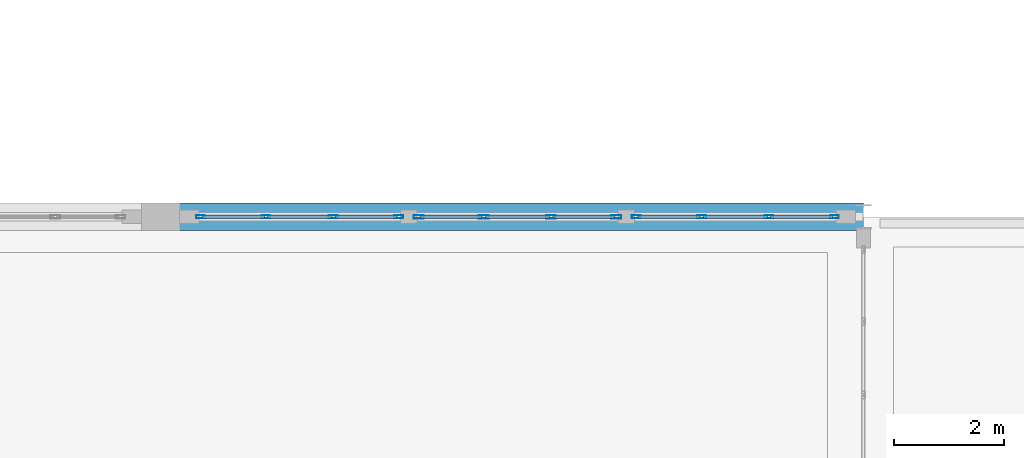
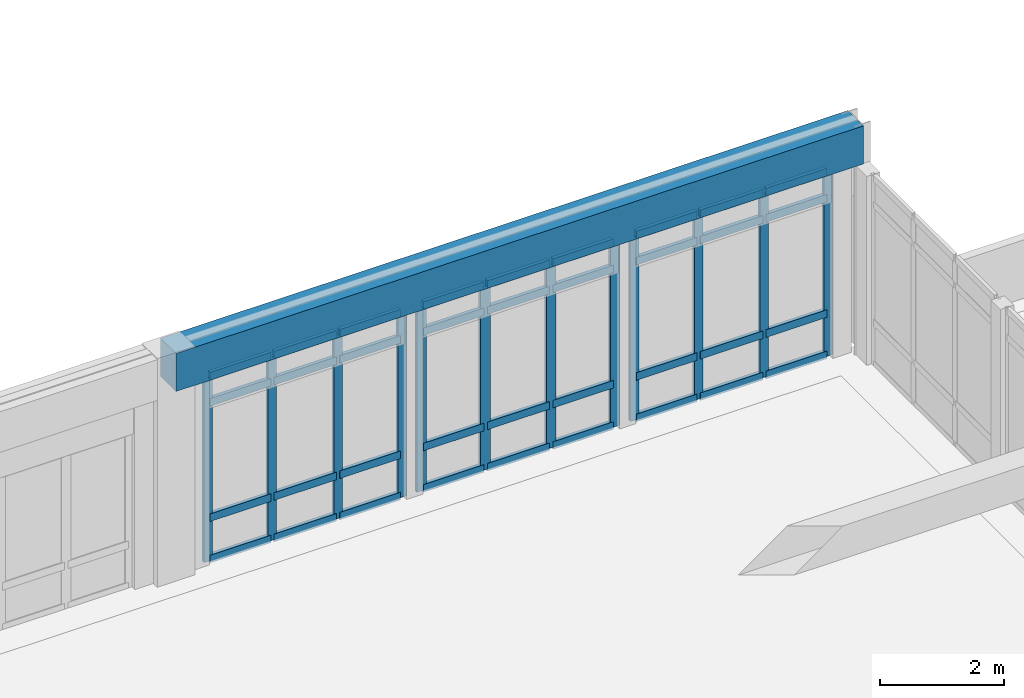
# One storey, part 48 of 80: 48 members, 1 beam, 3 elements without a shape of their own.
"""IFC4 building model written with IfcOpenShell, lengths in metres."""

import ifcopenshell
import ifcopenshell.guid

model = None  # the IFC model being written
_history = None  # IfcOwnerHistory: only IFC2X3 demands one
_inside = {}  # id of a spatial element -> (the spatial element, [elements in it])
_under = {}  # id of a project, library or spatial element -> (it, [spatial elements below it])
_declared = {}  # id of a project -> (the project, [libraries it declares])
_typed = {}  # id of a type object -> (the type object, [elements of that type])
_made_of = {}  # id of a material, layer set ... -> (it, [elements and type objects made of it])


def new_model(schema):
    """Start an empty IFC model of exactly this schema.

    Asked for "IFC4X3", IfcOpenShell would pick the latest addendum, in which some entities
    have other attributes; the version numbers below select the first issue.
    IFC2X3 requires an IfcOwnerHistory on every rooted entity: one is made here for all.
    """
    global model, _history
    if schema == "IFC4X3":
        model = ifcopenshell.file(schema_version=(4, 3, 0, 0))
    else:
        model = ifcopenshell.file(schema=schema)
    _inside.clear()
    _under.clear()
    _declared.clear()
    _typed.clear()
    _made_of.clear()
    _history = None
    if model.schema == "IFC2X3":
        org = make("IfcOrganization", Name="unknown")
        user = make(
            "IfcPersonAndOrganization",
            ThePerson=make("IfcPerson", FamilyName="unknown"),
            TheOrganization=org,
        )
        app = make(
            "IfcApplication",
            ApplicationDeveloper=org,
            Version="unknown",
            ApplicationFullName="unknown",
            ApplicationIdentifier="unknown",
        )
        _history = make(
            "IfcOwnerHistory",
            OwningUser=user,
            OwningApplication=app,
            ChangeAction="ADDED",
            CreationDate=0,
        )
    return model


def make(cls, **values):
    """One entity of the class cls with the attributes given. An attribute that is None is left unset."""
    return model.create_entity(
        cls, **{name: value for name, value in values.items() if value is not None}
    )


def rooted(cls, **values):
    """An entity with a GlobalId (a new one), such as an element, a storey or a relation."""
    return make(cls, GlobalId=ifcopenshell.guid.new(), OwnerHistory=_history, **values)


def si_unit(unit_type, name, prefix=None):
    """IfcSIUnit, for example si_unit("LENGTHUNIT", "METRE", prefix="MILLI")."""
    return make("IfcSIUnit", UnitType=unit_type, Prefix=prefix, Name=name)


def assignment(units):
    """IfcUnitAssignment: the units of a project."""
    return None if units is None else make("IfcUnitAssignment", Units=units)


def point(xyz):
    """IfcCartesianPoint."""
    return None if xyz is None else make("IfcCartesianPoint", Coordinates=xyz)


def direction(xyz):
    """IfcDirection."""
    return None if xyz is None else make("IfcDirection", DirectionRatios=xyz)


def frame(location, z_axis=None, x_axis=None):
    """IfcAxis2Placement3D, a coordinate frame: its origin and axes. An axis left out is left unset."""
    return make(
        "IfcAxis2Placement3D",
        Location=point(location),
        Axis=direction(z_axis),
        RefDirection=direction(x_axis),
    )


def frame_2d(location, x_axis=None):
    """IfcAxis2Placement2D, a coordinate frame in the plane: its origin and x axis."""
    return make(
        "IfcAxis2Placement2D", Location=point(location), RefDirection=direction(x_axis)
    )


def origin():
    """The frame at (0, 0, 0) with its axes left unset."""
    return frame((0.0, 0.0, 0.0))


def origin_2d():
    """The frame at (0, 0) in the plane with its x axis left unset."""
    return frame_2d((0.0, 0.0))


def place(relative_to, where):
    """IfcLocalPlacement: puts the frame where relative to a parent placement (None: the world)."""
    return make(
        "IfcLocalPlacement", PlacementRelTo=relative_to, RelativePlacement=where
    )


def context(
    kind, dimensions, precision=None, world=None, true_north=None, identifier=None
):
    """IfcGeometricRepresentationContext, for example the 3D "Model" context."""
    return make(
        "IfcGeometricRepresentationContext",
        ContextIdentifier=identifier,
        ContextType=kind,
        CoordinateSpaceDimension=dimensions,
        Precision=precision,
        WorldCoordinateSystem=world,
        TrueNorth=true_north,
    )


def subcontext(parent, identifier, kind, view, scale=None):
    """IfcGeometricRepresentationSubContext, for example "Body" below "Model"."""
    return make(
        "IfcGeometricRepresentationSubContext",
        ContextIdentifier=identifier,
        ContextType=kind,
        ParentContext=parent,
        TargetScale=scale,
        TargetView=view,
    )


def project(units=None, contexts=None):
    """IfcProject with its units and contexts."""
    return rooted(
        "IfcProject",
        Name="project",
        RepresentationContexts=contexts,
        UnitsInContext=assignment(units),
    )


def spatial(cls, under=None, at=None, **own):
    """A site, building, storey or space (cls), placed at a placement, below another one or the project."""
    s = rooted(cls, ObjectPlacement=at, **own)
    if under is not None:
        _under.setdefault(under.id(), (under, []))[1].append(s)
    return s


def profile(cls, at=None, kind="AREA", **sizes):
    """A parametric profile (cls). Its sizes go by their IFC names, for example OverallWidth=200.0."""
    return make(cls, ProfileType=kind, Position=at, **sizes)


def rectangle(**sizes):
    """IfcRectangleProfileDef."""
    return profile("IfcRectangleProfileDef", **sizes)


def hollow_rectangle(**sizes):
    """IfcRectangleHollowProfileDef."""
    return profile("IfcRectangleHollowProfileDef", **sizes)


def extrude(swept, where, along, depth):
    """IfcExtrudedAreaSolid: the profile swept, set in the frame where, extruded along a direction by depth."""
    return make(
        "IfcExtrudedAreaSolid",
        SweptArea=swept,
        Position=where,
        ExtrudedDirection=direction(along),
        Depth=depth,
    )


def shape(context_of_items, identifier, shape_type, items):
    """IfcShapeRepresentation: the items that make up one representation, for example the "Body"."""
    return make(
        "IfcShapeRepresentation",
        ContextOfItems=context_of_items,
        RepresentationIdentifier=identifier,
        RepresentationType=shape_type,
        Items=items,
    )


def material(Name=None, Category=None):
    """IfcMaterial."""
    return make("IfcMaterial", Name=Name, Category=Category)


def layer(
    of_material, thickness, ventilated=None, Name=None, Category=None, Priority=None
):
    """IfcMaterialLayer: one layer of a wall or slab, of a material (None: an air gap)."""
    return make(
        "IfcMaterialLayer",
        Material=of_material,
        LayerThickness=thickness,
        IsVentilated=ventilated,
        Name=Name,
        Category=Category,
        Priority=Priority,
    )


def layer_set(layers, Name=None):
    """IfcMaterialLayerSet."""
    return make("IfcMaterialLayerSet", MaterialLayers=layers, LayerSetName=Name)


def material_profile(
    of_material, cross_section, Name=None, Category=None, Priority=None
):
    """IfcMaterialProfile: a cross section and its material."""
    return make(
        "IfcMaterialProfile",
        Name=Name,
        Material=of_material,
        Profile=cross_section,
        Priority=Priority,
        Category=Category,
    )


def profile_set(profiles, Name=None, composite=None):
    """IfcMaterialProfileSet."""
    return make(
        "IfcMaterialProfileSet",
        Name=Name,
        MaterialProfiles=profiles,
        CompositeProfile=composite,
    )


def made_of(thing, what):
    """Note that an element or type object is made of a material, layer set ...; save() writes the relation."""
    if what is not None:
        _made_of.setdefault(what.id(), (what, []))[1].append(thing)
    return thing


def type_object(cls, material=None, **own):
    """A type object (cls), such as IfcWallType, which elements share."""
    return made_of(rooted(cls, **own), material)


def element(
    cls,
    number,
    at=None,
    inside=None,
    cuts=None,
    type_object=None,
    material=None,
    context=None,
    identifier="Body",
    shape_type=None,
    held_by="IfcProductDefinitionShape",
    body=None,
    shapes=None,
    **own,
):
    """One element of the class cls, such as IfcWall. Its Tag is "e" and its number.

    at: its placement. inside: the storey or other place that contains it. cuts: it is an
    opening in that element (IfcRelVoidsElement). A single representation is given by context,
    identifier, shape_type and body (its items); several are given by shapes. held_by: the class
    of the entity that holds the representations. save() writes the other relations.
    """
    e = rooted(cls, Tag="e%d" % number, ObjectPlacement=at, **own)
    if body is not None:
        shapes = [shape(context, identifier, shape_type, body)]
    if shapes is not None:
        e.Representation = make(held_by, Representations=shapes)
    if inside is not None:
        _inside.setdefault(inside.id(), (inside, []))[1].append(e)
    if cuts is not None:
        rooted(
            "IfcRelVoidsElement", RelatingBuildingElement=cuts, RelatedOpeningElement=e
        )
    if type_object is not None:
        _typed.setdefault(type_object.id(), (type_object, []))[1].append(e)
    return made_of(e, material)


def aggregate(whole, parts):
    """IfcRelAggregates: a whole, such as a stair, and the parts it consists of."""
    return rooted("IfcRelAggregates", RelatingObject=whole, RelatedObjects=parts)


def save(model, path):
    """Write the relations noted so far, then the file.

    IfcRelAggregates (storeys below a building ...), IfcRelContainedInSpatialStructure (elements
    in a storey), IfcRelDefinesByType, IfcRelAssociatesMaterial and IfcRelDeclares: one each for
    every whole, place, type object, material and project.
    """
    for whole, parts in _under.values():
        aggregate(whole, parts)
    for where, things in _inside.values():
        rooted(
            "IfcRelContainedInSpatialStructure",
            RelatedElements=things,
            RelatingStructure=where,
        )
    for kind, things in _typed.values():
        rooted("IfcRelDefinesByType", RelatedObjects=things, RelatingType=kind)
    for what, things in _made_of.values():
        rooted("IfcRelAssociatesMaterial", RelatedObjects=things, RelatingMaterial=what)
    for by, libraries in _declared.values():
        rooted("IfcRelDeclares", RelatingContext=by, RelatedDefinitions=libraries)
    model.write(path)


model = new_model("IFC4")

# Units and contexts
model_context = context("Model", 3, precision=1e-05, world=origin(), true_north=direction((0.0, 1.0)))
body_context = subcontext(model_context, "Body", "Model", "MODEL_VIEW")
ifc_project = project(units=[si_unit("LENGTHUNIT", "METRE"), si_unit("AREAUNIT", "SQUARE_METRE"), si_unit("VOLUMEUNIT", "CUBIC_METRE"), si_unit("PLANEANGLEUNIT", "RADIAN"), si_unit("MASSUNIT", "GRAM", prefix="KILO")], contexts=[model_context])

# Site, building, storey
site_placement = place(None, origin())
site = spatial("IfcSite", under=ifc_project, at=site_placement, CompositionType="ELEMENT")
building_placement = place(site_placement, origin())
building = spatial("IfcBuilding", under=site, at=building_placement, Name="Fikremerkos Civic Library", CompositionType="ELEMENT")
storey_placement = place(building_placement, frame((0.0, 0.0, 9.89990234375)))
storey = spatial("IfcBuildingStorey", under=building, at=storey_placement, Name="L02", CompositionType="ELEMENT", Elevation=9.89990234375)

# Curtain wall, members
ifc_material_1 = material(Name="Anodized aluminium Frame", Category="aluminium")
ifc_layer_1 = layer(ifc_material_1, 0.159912109375, Name="Anodized aluminium Frame")
ifc_layer_set_1 = layer_set([ifc_layer_1], Name="Anodized aluminium Frame")
curtain_wall_type_1 = type_object("IfcCurtainWallType", Name="Unitised curtain wall CW-01 3600x3600", PredefinedType="USERDEFINED", material=ifc_layer_set_1)
curtain_wall_1_placement = place(storey_placement, origin())
curtain_wall_1 = element("IfcCurtainWall", 1, at=curtain_wall_1_placement, inside=storey, type_object=curtain_wall_type_1, Name="Unitised curtain wall CW-01 L02 #181", ObjectType="UNITISED CURTAIN WALL", PredefinedType="USERDEFINED")
ifc_material_profile_1 = material_profile(ifc_material_1, hollow_rectangle(XDim=0.06494140625, YDim=0.179931640625, WallThickness=0.00439453125, at=origin_2d()), Name="ALU 180x65x4.5")
ifc_profile_set_1 = profile_set([ifc_material_profile_1], Name="Anodized aluminium Frame")
member_type_1 = type_object("IfcMemberType", Name="Curtain mullion CWM-01 ALU 180x65x4.5", PredefinedType="MULLION", material=ifc_profile_set_1)
member_1_placement = place(storey_placement, frame((151.8984375, 40.800048828125, 0.0), z_axis=(0.0, 0.0, 1.0), x_axis=(0.0, 1.0, 0.0)))
member_1 = element("IfcMember", 2, at=member_1_placement, type_object=member_type_1, Name="CW-01 mullion 1", PredefinedType="MULLION", context=body_context, shape_type="SweptSolid", body=[
    extrude(hollow_rectangle(XDim=0.06494140625, YDim=0.179931640625, WallThickness=0.00439453125, at=origin_2d()), origin(), (0.0, 0.0, 1.0), 3.670166015625),
])
member_2_placement = place(storey_placement, frame((153.088623046875, 40.800048828125, 0.0), z_axis=(0.0, 0.0, 1.0), x_axis=(0.0, 1.0, 0.0)))
member_2 = element("IfcMember", 3, at=member_2_placement, type_object=member_type_1, Name="CW-01 mullion 2", PredefinedType="MULLION", context=body_context, shape_type="SweptSolid", body=[
    extrude(hollow_rectangle(XDim=0.06494140625, YDim=0.179931640625, WallThickness=0.00439453125, at=origin_2d()), origin(), (0.0, 0.0, 1.0), 3.670166015625),
])
member_3_placement = place(storey_placement, frame((154.311279296875, 40.800048828125, 0.0), z_axis=(0.0, 0.0, 1.0), x_axis=(0.0, 1.0, 0.0)))
member_3 = element("IfcMember", 4, at=member_3_placement, type_object=member_type_1, Name="CW-01 mullion 3", PredefinedType="MULLION", context=body_context, shape_type="SweptSolid", body=[
    extrude(hollow_rectangle(XDim=0.06494140625, YDim=0.179931640625, WallThickness=0.00439453125, at=origin_2d()), origin(), (0.0, 0.0, 1.0), 3.670166015625),
])
member_4_placement = place(storey_placement, frame((155.50146484375, 40.800048828125, 0.0), z_axis=(0.0, 0.0, 1.0), x_axis=(0.0, 1.0, 0.0)))
member_4 = element("IfcMember", 5, at=member_4_placement, type_object=member_type_1, Name="CW-01 mullion 4", PredefinedType="MULLION", context=body_context, shape_type="SweptSolid", body=[
    extrude(hollow_rectangle(XDim=0.06494140625, YDim=0.179931640625, WallThickness=0.00439453125, at=origin_2d()), origin(), (0.0, 0.0, 1.0), 3.670166015625),
])

ifc_layer_2 = layer(ifc_material_1, 0.159912109375, Name="Anodized aluminium Frame")
ifc_layer_set_2 = layer_set([ifc_layer_2], Name="Anodized aluminium Frame")
curtain_wall_type_2 = type_object("IfcCurtainWallType", Name="Unitised curtain wall CW-18 2700x3400", PredefinedType="USERDEFINED", material=ifc_layer_set_2)
curtain_wall_2_placement = place(storey_placement, origin())
curtain_wall_2 = element("IfcCurtainWall", 6, at=curtain_wall_2_placement, inside=storey, type_object=curtain_wall_type_2, Name="Unitised curtain wall CW-18 L02 #180", ObjectType="UNITISED CURTAIN WALL", PredefinedType="USERDEFINED")
ifc_material_profile_2 = material_profile(ifc_material_1, hollow_rectangle(XDim=0.06005859375, YDim=0.159912109375, WallThickness=0.00390625, at=origin_2d()), Name="ALU 160x60x4")
ifc_profile_set_2 = profile_set([ifc_material_profile_2], Name="Anodized aluminium Frame")
member_type_2 = type_object("IfcMemberType", Name="Curtain mullion CWM-02 ALU 160x60x4", PredefinedType="MULLION", material=ifc_profile_set_2)
member_5_placement = place(storey_placement, frame((147.927978515625, 40.800048828125, 0.0), z_axis=(0.0, 0.0, 1.0), x_axis=(0.0, 1.0, 0.0)))
member_5 = element("IfcMember", 7, at=member_5_placement, type_object=member_type_2, Name="CW-18 mullion 1", PredefinedType="MULLION", context=body_context, shape_type="SweptSolid", body=[
    extrude(hollow_rectangle(XDim=0.06005859375, YDim=0.159912109375, WallThickness=0.00390625, at=origin_2d()), origin(), (0.0, 0.0, 1.0), 3.670166015625),
])
member_6_placement = place(storey_placement, frame((149.12060546875, 40.800048828125, 0.0), z_axis=(0.0, 0.0, 1.0), x_axis=(0.0, 1.0, 0.0)))
member_6 = element("IfcMember", 8, at=member_6_placement, type_object=member_type_2, Name="CW-18 mullion 2", PredefinedType="MULLION", context=body_context, shape_type="SweptSolid", body=[
    extrude(hollow_rectangle(XDim=0.06005859375, YDim=0.159912109375, WallThickness=0.00390625, at=origin_2d()), origin(), (0.0, 0.0, 1.0), 3.670166015625),
])
member_7_placement = place(storey_placement, frame((150.34326171875, 40.800048828125, 0.0), z_axis=(0.0, 0.0, 1.0), x_axis=(0.0, 1.0, 0.0)))
member_7 = element("IfcMember", 9, at=member_7_placement, type_object=member_type_2, Name="CW-18 mullion 3", PredefinedType="MULLION", context=body_context, shape_type="SweptSolid", body=[
    extrude(hollow_rectangle(XDim=0.06005859375, YDim=0.159912109375, WallThickness=0.00390625, at=origin_2d()), origin(), (0.0, 0.0, 1.0), 3.670166015625),
])
member_8_placement = place(storey_placement, frame((151.535888671875, 40.800048828125, 0.0), z_axis=(0.0, 0.0, 1.0), x_axis=(0.0, 1.0, 0.0)))
member_8 = element("IfcMember", 10, at=member_8_placement, type_object=member_type_2, Name="CW-18 mullion 4", PredefinedType="MULLION", context=body_context, shape_type="SweptSolid", body=[
    extrude(hollow_rectangle(XDim=0.06005859375, YDim=0.159912109375, WallThickness=0.00390625, at=origin_2d()), origin(), (0.0, 0.0, 1.0), 3.670166015625),
])

ifc_layer_3 = layer(ifc_material_1, 0.159912109375, Name="Anodized aluminium Frame")
ifc_layer_set_3 = layer_set([ifc_layer_3], Name="Anodized aluminium Frame")
curtain_wall_type_3 = type_object("IfcCurtainWallType", Name="Unitised curtain wall CW-02 3900x3600", PredefinedType="USERDEFINED", material=ifc_layer_set_3)
curtain_wall_3_placement = place(storey_placement, origin())
curtain_wall_3 = element("IfcCurtainWall", 11, at=curtain_wall_3_placement, inside=storey, type_object=curtain_wall_type_3, Name="Unitised curtain wall CW-02 L02 #182", ObjectType="UNITISED CURTAIN WALL", PredefinedType="USERDEFINED")
member_9_placement = place(storey_placement, frame((155.864013671875, 40.800048828125, 0.0), z_axis=(0.0, 0.0, 1.0), x_axis=(0.0, 1.0, 0.0)))
member_9 = element("IfcMember", 12, at=member_9_placement, type_object=member_type_2, Name="CW-02 mullion 1", PredefinedType="MULLION", context=body_context, shape_type="SweptSolid", body=[
    extrude(hollow_rectangle(XDim=0.06005859375, YDim=0.159912109375, WallThickness=0.00390625, at=origin_2d()), origin(), (0.0, 0.0, 1.0), 3.670166015625),
])
member_10_placement = place(storey_placement, frame((157.056640625, 40.800048828125, 0.0), z_axis=(0.0, 0.0, 1.0), x_axis=(0.0, 1.0, 0.0)))
member_10 = element("IfcMember", 13, at=member_10_placement, type_object=member_type_2, Name="CW-02 mullion 2", PredefinedType="MULLION", context=body_context, shape_type="SweptSolid", body=[
    extrude(hollow_rectangle(XDim=0.06005859375, YDim=0.159912109375, WallThickness=0.00390625, at=origin_2d()), origin(), (0.0, 0.0, 1.0), 3.670166015625),
])
member_11_placement = place(storey_placement, frame((158.279296875, 40.800048828125, 0.0), z_axis=(0.0, 0.0, 1.0), x_axis=(0.0, 1.0, 0.0)))
member_11 = element("IfcMember", 14, at=member_11_placement, type_object=member_type_2, Name="CW-02 mullion 3", PredefinedType="MULLION", context=body_context, shape_type="SweptSolid", body=[
    extrude(hollow_rectangle(XDim=0.06005859375, YDim=0.159912109375, WallThickness=0.00390625, at=origin_2d()), origin(), (0.0, 0.0, 1.0), 3.670166015625),
])
member_12_placement = place(storey_placement, frame((159.471923828125, 40.800048828125, 0.0), z_axis=(0.0, 0.0, 1.0), x_axis=(0.0, 1.0, 0.0)))
member_12 = element("IfcMember", 15, at=member_12_placement, type_object=member_type_2, Name="CW-02 mullion 4", PredefinedType="MULLION", context=body_context, shape_type="SweptSolid", body=[
    extrude(hollow_rectangle(XDim=0.06005859375, YDim=0.159912109375, WallThickness=0.00390625, at=origin_2d()), origin(), (0.0, 0.0, 1.0), 3.670166015625),
])

# Member
ifc_material_profile_3 = material_profile(ifc_material_1, hollow_rectangle(XDim=0.070068359375, YDim=0.14990234375, WallThickness=0.00439453125, at=origin_2d()), Name="ALU 150x70x4.5")
ifc_profile_set_3 = profile_set([ifc_material_profile_3], Name="Anodized aluminium Frame")
member_type_3 = type_object("IfcMemberType", Name="Curtain transom CWT-01 ALU 150x70x4.5", PredefinedType="USERDEFINED", material=ifc_profile_set_3)
member_13_placement = place(storey_placement, frame((147.9580078125, 40.800048828125, 0.03515625), z_axis=(1.0, 0.0, 0.0), x_axis=(0.0, 1.0, 0.0)))
member_13 = element("IfcMember", 16, at=member_13_placement, type_object=member_type_3, Name="CW-18 transom 1.1", ObjectType="TRANSOM", PredefinedType="USERDEFINED", context=body_context, shape_type="SweptSolid", body=[
    extrude(hollow_rectangle(XDim=0.070068359375, YDim=0.14990234375, WallThickness=0.00439453125, at=origin_2d()), origin(), (0.0, 0.0, 1.0), 1.132568359375),
])

member_14_placement = place(storey_placement, frame((147.9580078125, 40.800048828125, 0.85009765625), z_axis=(1.0, 0.0, 0.0), x_axis=(0.0, 1.0, 0.0)))
member_14 = element("IfcMember", 17, at=member_14_placement, type_object=member_type_3, Name="CW-18 transom 1.2", ObjectType="TRANSOM", PredefinedType="USERDEFINED", context=body_context, shape_type="SweptSolid", body=[
    extrude(hollow_rectangle(XDim=0.070068359375, YDim=0.14990234375, WallThickness=0.00439453125, at=origin_2d()), origin(), (0.0, 0.0, 1.0), 1.132568359375),
])

member_15_placement = place(storey_placement, frame((147.9580078125, 40.800048828125, 3.1201171875), z_axis=(1.0, 0.0, 0.0), x_axis=(0.0, 1.0, 0.0)))
member_15 = element("IfcMember", 18, at=member_15_placement, type_object=member_type_3, Name="CW-18 transom 1.3", ObjectType="TRANSOM", PredefinedType="USERDEFINED", context=body_context, shape_type="SweptSolid", body=[
    extrude(hollow_rectangle(XDim=0.070068359375, YDim=0.14990234375, WallThickness=0.00439453125, at=origin_2d()), origin(), (0.0, 0.0, 1.0), 1.132568359375),
])

member_16_placement = place(storey_placement, frame((147.9580078125, 40.800048828125, 3.635009765625), z_axis=(1.0, 0.0, 0.0), x_axis=(0.0, 1.0, 0.0)))
member_16 = element("IfcMember", 19, at=member_16_placement, type_object=member_type_3, Name="CW-18 transom 1.4", ObjectType="TRANSOM", PredefinedType="USERDEFINED", context=body_context, shape_type="SweptSolid", body=[
    extrude(hollow_rectangle(XDim=0.070068359375, YDim=0.14990234375, WallThickness=0.00439453125, at=origin_2d()), origin(), (0.0, 0.0, 1.0), 1.132568359375),
])

member_17_placement = place(storey_placement, frame((149.150634765625, 40.800048828125, 0.03515625), z_axis=(1.0, 0.0, 0.0), x_axis=(0.0, 1.0, 0.0)))
member_17 = element("IfcMember", 20, at=member_17_placement, type_object=member_type_3, Name="CW-18 transom 2.1", ObjectType="TRANSOM", PredefinedType="USERDEFINED", context=body_context, shape_type="SweptSolid", body=[
    extrude(hollow_rectangle(XDim=0.070068359375, YDim=0.14990234375, WallThickness=0.00439453125, at=origin_2d()), origin(), (0.0, 0.0, 1.0), 1.16259765625),
])

member_18_placement = place(storey_placement, frame((149.150634765625, 40.800048828125, 0.85009765625), z_axis=(1.0, 0.0, 0.0), x_axis=(0.0, 1.0, 0.0)))
member_18 = element("IfcMember", 21, at=member_18_placement, type_object=member_type_3, Name="CW-18 transom 2.2", ObjectType="TRANSOM", PredefinedType="USERDEFINED", context=body_context, shape_type="SweptSolid", body=[
    extrude(hollow_rectangle(XDim=0.070068359375, YDim=0.14990234375, WallThickness=0.00439453125, at=origin_2d()), origin(), (0.0, 0.0, 1.0), 1.16259765625),
])

member_19_placement = place(storey_placement, frame((149.150634765625, 40.800048828125, 3.1201171875), z_axis=(1.0, 0.0, 0.0), x_axis=(0.0, 1.0, 0.0)))
member_19 = element("IfcMember", 22, at=member_19_placement, type_object=member_type_3, Name="CW-18 transom 2.3", ObjectType="TRANSOM", PredefinedType="USERDEFINED", context=body_context, shape_type="SweptSolid", body=[
    extrude(hollow_rectangle(XDim=0.070068359375, YDim=0.14990234375, WallThickness=0.00439453125, at=origin_2d()), origin(), (0.0, 0.0, 1.0), 1.16259765625),
])

member_20_placement = place(storey_placement, frame((149.150634765625, 40.800048828125, 3.635009765625), z_axis=(1.0, 0.0, 0.0), x_axis=(0.0, 1.0, 0.0)))
member_20 = element("IfcMember", 23, at=member_20_placement, type_object=member_type_3, Name="CW-18 transom 2.4", ObjectType="TRANSOM", PredefinedType="USERDEFINED", context=body_context, shape_type="SweptSolid", body=[
    extrude(hollow_rectangle(XDim=0.070068359375, YDim=0.14990234375, WallThickness=0.00439453125, at=origin_2d()), origin(), (0.0, 0.0, 1.0), 1.16259765625),
])

member_21_placement = place(storey_placement, frame((150.373291015625, 40.800048828125, 0.03515625), z_axis=(1.0, 0.0, 0.0), x_axis=(0.0, 1.0, 0.0)))
member_21 = element("IfcMember", 24, at=member_21_placement, type_object=member_type_3, Name="CW-18 transom 3.1", ObjectType="TRANSOM", PredefinedType="USERDEFINED", context=body_context, shape_type="SweptSolid", body=[
    extrude(hollow_rectangle(XDim=0.070068359375, YDim=0.14990234375, WallThickness=0.00439453125, at=origin_2d()), origin(), (0.0, 0.0, 1.0), 1.1328125),
])

member_22_placement = place(storey_placement, frame((150.373291015625, 40.800048828125, 0.85009765625), z_axis=(1.0, 0.0, 0.0), x_axis=(0.0, 1.0, 0.0)))
member_22 = element("IfcMember", 25, at=member_22_placement, type_object=member_type_3, Name="CW-18 transom 3.2", ObjectType="TRANSOM", PredefinedType="USERDEFINED", context=body_context, shape_type="SweptSolid", body=[
    extrude(hollow_rectangle(XDim=0.070068359375, YDim=0.14990234375, WallThickness=0.00439453125, at=origin_2d()), origin(), (0.0, 0.0, 1.0), 1.1328125),
])

member_23_placement = place(storey_placement, frame((150.373291015625, 40.800048828125, 3.1201171875), z_axis=(1.0, 0.0, 0.0), x_axis=(0.0, 1.0, 0.0)))
member_23 = element("IfcMember", 26, at=member_23_placement, type_object=member_type_3, Name="CW-18 transom 3.3", ObjectType="TRANSOM", PredefinedType="USERDEFINED", context=body_context, shape_type="SweptSolid", body=[
    extrude(hollow_rectangle(XDim=0.070068359375, YDim=0.14990234375, WallThickness=0.00439453125, at=origin_2d()), origin(), (0.0, 0.0, 1.0), 1.1328125),
])

member_24_placement = place(storey_placement, frame((150.373291015625, 40.800048828125, 3.635009765625), z_axis=(1.0, 0.0, 0.0), x_axis=(0.0, 1.0, 0.0)))
member_24 = element("IfcMember", 27, at=member_24_placement, type_object=member_type_3, Name="CW-18 transom 3.4", ObjectType="TRANSOM", PredefinedType="USERDEFINED", context=body_context, shape_type="SweptSolid", body=[
    extrude(hollow_rectangle(XDim=0.070068359375, YDim=0.14990234375, WallThickness=0.00439453125, at=origin_2d()), origin(), (0.0, 0.0, 1.0), 1.1328125),
])

aggregate(curtain_wall_2, [member_5, member_6, member_7, member_8, member_13, member_14, member_15, member_16, member_17, member_18, member_19, member_20, member_21, member_22, member_23, member_24])

member_25_placement = place(storey_placement, frame((151.930908203125, 40.800048828125, 0.03515625), z_axis=(1.0, 0.0, 0.0), x_axis=(0.0, 1.0, 0.0)))
member_25 = element("IfcMember", 28, at=member_25_placement, type_object=member_type_3, Name="CW-01 transom 1.1", ObjectType="TRANSOM", PredefinedType="USERDEFINED", context=body_context, shape_type="SweptSolid", body=[
    extrude(hollow_rectangle(XDim=0.070068359375, YDim=0.14990234375, WallThickness=0.00439453125, at=origin_2d()), origin(), (0.0, 0.0, 1.0), 1.125244140625),
])

member_26_placement = place(storey_placement, frame((151.930908203125, 40.800048828125, 0.85009765625), z_axis=(1.0, 0.0, 0.0), x_axis=(0.0, 1.0, 0.0)))
member_26 = element("IfcMember", 29, at=member_26_placement, type_object=member_type_3, Name="CW-01 transom 1.2", ObjectType="TRANSOM", PredefinedType="USERDEFINED", context=body_context, shape_type="SweptSolid", body=[
    extrude(hollow_rectangle(XDim=0.070068359375, YDim=0.14990234375, WallThickness=0.00439453125, at=origin_2d()), origin(), (0.0, 0.0, 1.0), 1.125244140625),
])

member_27_placement = place(storey_placement, frame((151.930908203125, 40.800048828125, 3.1201171875), z_axis=(1.0, 0.0, 0.0), x_axis=(0.0, 1.0, 0.0)))
member_27 = element("IfcMember", 30, at=member_27_placement, type_object=member_type_3, Name="CW-01 transom 1.3", ObjectType="TRANSOM", PredefinedType="USERDEFINED", context=body_context, shape_type="SweptSolid", body=[
    extrude(hollow_rectangle(XDim=0.070068359375, YDim=0.14990234375, WallThickness=0.00439453125, at=origin_2d()), origin(), (0.0, 0.0, 1.0), 1.125244140625),
])

member_28_placement = place(storey_placement, frame((151.930908203125, 40.800048828125, 3.635009765625), z_axis=(1.0, 0.0, 0.0), x_axis=(0.0, 1.0, 0.0)))
member_28 = element("IfcMember", 31, at=member_28_placement, type_object=member_type_3, Name="CW-01 transom 1.4", ObjectType="TRANSOM", PredefinedType="USERDEFINED", context=body_context, shape_type="SweptSolid", body=[
    extrude(hollow_rectangle(XDim=0.070068359375, YDim=0.14990234375, WallThickness=0.00439453125, at=origin_2d()), origin(), (0.0, 0.0, 1.0), 1.125244140625),
])

member_29_placement = place(storey_placement, frame((153.12109375, 40.800048828125, 0.03515625), z_axis=(1.0, 0.0, 0.0), x_axis=(0.0, 1.0, 0.0)))
member_29 = element("IfcMember", 32, at=member_29_placement, type_object=member_type_3, Name="CW-01 transom 2.1", ObjectType="TRANSOM", PredefinedType="USERDEFINED", context=body_context, shape_type="SweptSolid", body=[
    extrude(hollow_rectangle(XDim=0.070068359375, YDim=0.14990234375, WallThickness=0.00439453125, at=origin_2d()), origin(), (0.0, 0.0, 1.0), 1.15771484375),
])

member_30_placement = place(storey_placement, frame((153.12109375, 40.800048828125, 0.85009765625), z_axis=(1.0, 0.0, 0.0), x_axis=(0.0, 1.0, 0.0)))
member_30 = element("IfcMember", 33, at=member_30_placement, type_object=member_type_3, Name="CW-01 transom 2.2", ObjectType="TRANSOM", PredefinedType="USERDEFINED", context=body_context, shape_type="SweptSolid", body=[
    extrude(hollow_rectangle(XDim=0.070068359375, YDim=0.14990234375, WallThickness=0.00439453125, at=origin_2d()), origin(), (0.0, 0.0, 1.0), 1.15771484375),
])

member_31_placement = place(storey_placement, frame((153.12109375, 40.800048828125, 3.1201171875), z_axis=(1.0, 0.0, 0.0), x_axis=(0.0, 1.0, 0.0)))
member_31 = element("IfcMember", 34, at=member_31_placement, type_object=member_type_3, Name="CW-01 transom 2.3", ObjectType="TRANSOM", PredefinedType="USERDEFINED", context=body_context, shape_type="SweptSolid", body=[
    extrude(hollow_rectangle(XDim=0.070068359375, YDim=0.14990234375, WallThickness=0.00439453125, at=origin_2d()), origin(), (0.0, 0.0, 1.0), 1.15771484375),
])

member_32_placement = place(storey_placement, frame((153.12109375, 40.800048828125, 3.635009765625), z_axis=(1.0, 0.0, 0.0), x_axis=(0.0, 1.0, 0.0)))
member_32 = element("IfcMember", 35, at=member_32_placement, type_object=member_type_3, Name="CW-01 transom 2.4", ObjectType="TRANSOM", PredefinedType="USERDEFINED", context=body_context, shape_type="SweptSolid", body=[
    extrude(hollow_rectangle(XDim=0.070068359375, YDim=0.14990234375, WallThickness=0.00439453125, at=origin_2d()), origin(), (0.0, 0.0, 1.0), 1.15771484375),
])

member_33_placement = place(storey_placement, frame((154.34375, 40.800048828125, 0.03515625), z_axis=(1.0, 0.0, 0.0), x_axis=(0.0, 1.0, 0.0)))
member_33 = element("IfcMember", 36, at=member_33_placement, type_object=member_type_3, Name="CW-01 transom 3.1", ObjectType="TRANSOM", PredefinedType="USERDEFINED", context=body_context, shape_type="SweptSolid", body=[
    extrude(hollow_rectangle(XDim=0.070068359375, YDim=0.14990234375, WallThickness=0.00439453125, at=origin_2d()), origin(), (0.0, 0.0, 1.0), 1.125244140625),
])

member_34_placement = place(storey_placement, frame((154.34375, 40.800048828125, 0.85009765625), z_axis=(1.0, 0.0, 0.0), x_axis=(0.0, 1.0, 0.0)))
member_34 = element("IfcMember", 37, at=member_34_placement, type_object=member_type_3, Name="CW-01 transom 3.2", ObjectType="TRANSOM", PredefinedType="USERDEFINED", context=body_context, shape_type="SweptSolid", body=[
    extrude(hollow_rectangle(XDim=0.070068359375, YDim=0.14990234375, WallThickness=0.00439453125, at=origin_2d()), origin(), (0.0, 0.0, 1.0), 1.125244140625),
])

member_35_placement = place(storey_placement, frame((154.34375, 40.800048828125, 3.1201171875), z_axis=(1.0, 0.0, 0.0), x_axis=(0.0, 1.0, 0.0)))
member_35 = element("IfcMember", 38, at=member_35_placement, type_object=member_type_3, Name="CW-01 transom 3.3", ObjectType="TRANSOM", PredefinedType="USERDEFINED", context=body_context, shape_type="SweptSolid", body=[
    extrude(hollow_rectangle(XDim=0.070068359375, YDim=0.14990234375, WallThickness=0.00439453125, at=origin_2d()), origin(), (0.0, 0.0, 1.0), 1.125244140625),
])

member_36_placement = place(storey_placement, frame((154.34375, 40.800048828125, 3.635009765625), z_axis=(1.0, 0.0, 0.0), x_axis=(0.0, 1.0, 0.0)))
member_36 = element("IfcMember", 39, at=member_36_placement, type_object=member_type_3, Name="CW-01 transom 3.4", ObjectType="TRANSOM", PredefinedType="USERDEFINED", context=body_context, shape_type="SweptSolid", body=[
    extrude(hollow_rectangle(XDim=0.070068359375, YDim=0.14990234375, WallThickness=0.00439453125, at=origin_2d()), origin(), (0.0, 0.0, 1.0), 1.125244140625),
])

aggregate(curtain_wall_1, [member_1, member_2, member_3, member_4, member_25, member_26, member_27, member_28, member_29, member_30, member_31, member_32, member_33, member_34, member_35, member_36])

member_37_placement = place(storey_placement, frame((155.89404296875, 40.800048828125, 0.03515625), z_axis=(1.0, 0.0, 0.0), x_axis=(0.0, 1.0, 0.0)))
member_37 = element("IfcMember", 40, at=member_37_placement, type_object=member_type_3, Name="CW-02 transom 1.1", ObjectType="TRANSOM", PredefinedType="USERDEFINED", context=body_context, shape_type="SweptSolid", body=[
    extrude(hollow_rectangle(XDim=0.070068359375, YDim=0.14990234375, WallThickness=0.00439453125, at=origin_2d()), origin(), (0.0, 0.0, 1.0), 1.132568359375),
])

member_38_placement = place(storey_placement, frame((155.89404296875, 40.800048828125, 0.85009765625), z_axis=(1.0, 0.0, 0.0), x_axis=(0.0, 1.0, 0.0)))
member_38 = element("IfcMember", 41, at=member_38_placement, type_object=member_type_3, Name="CW-02 transom 1.2", ObjectType="TRANSOM", PredefinedType="USERDEFINED", context=body_context, shape_type="SweptSolid", body=[
    extrude(hollow_rectangle(XDim=0.070068359375, YDim=0.14990234375, WallThickness=0.00439453125, at=origin_2d()), origin(), (0.0, 0.0, 1.0), 1.132568359375),
])

member_39_placement = place(storey_placement, frame((155.89404296875, 40.800048828125, 3.1201171875), z_axis=(1.0, 0.0, 0.0), x_axis=(0.0, 1.0, 0.0)))
member_39 = element("IfcMember", 42, at=member_39_placement, type_object=member_type_3, Name="CW-02 transom 1.3", ObjectType="TRANSOM", PredefinedType="USERDEFINED", context=body_context, shape_type="SweptSolid", body=[
    extrude(hollow_rectangle(XDim=0.070068359375, YDim=0.14990234375, WallThickness=0.00439453125, at=origin_2d()), origin(), (0.0, 0.0, 1.0), 1.132568359375),
])

member_40_placement = place(storey_placement, frame((155.89404296875, 40.800048828125, 3.635009765625), z_axis=(1.0, 0.0, 0.0), x_axis=(0.0, 1.0, 0.0)))
member_40 = element("IfcMember", 43, at=member_40_placement, type_object=member_type_3, Name="CW-02 transom 1.4", ObjectType="TRANSOM", PredefinedType="USERDEFINED", context=body_context, shape_type="SweptSolid", body=[
    extrude(hollow_rectangle(XDim=0.070068359375, YDim=0.14990234375, WallThickness=0.00439453125, at=origin_2d()), origin(), (0.0, 0.0, 1.0), 1.132568359375),
])

member_41_placement = place(storey_placement, frame((157.086669921875, 40.800048828125, 0.03515625), z_axis=(1.0, 0.0, 0.0), x_axis=(0.0, 1.0, 0.0)))
member_41 = element("IfcMember", 44, at=member_41_placement, type_object=member_type_3, Name="CW-02 transom 2.1", ObjectType="TRANSOM", PredefinedType="USERDEFINED", context=body_context, shape_type="SweptSolid", body=[
    extrude(hollow_rectangle(XDim=0.070068359375, YDim=0.14990234375, WallThickness=0.00439453125, at=origin_2d()), origin(), (0.0, 0.0, 1.0), 1.16259765625),
])

member_42_placement = place(storey_placement, frame((157.086669921875, 40.800048828125, 0.85009765625), z_axis=(1.0, 0.0, 0.0), x_axis=(0.0, 1.0, 0.0)))
member_42 = element("IfcMember", 45, at=member_42_placement, type_object=member_type_3, Name="CW-02 transom 2.2", ObjectType="TRANSOM", PredefinedType="USERDEFINED", context=body_context, shape_type="SweptSolid", body=[
    extrude(hollow_rectangle(XDim=0.070068359375, YDim=0.14990234375, WallThickness=0.00439453125, at=origin_2d()), origin(), (0.0, 0.0, 1.0), 1.16259765625),
])

member_43_placement = place(storey_placement, frame((157.086669921875, 40.800048828125, 3.1201171875), z_axis=(1.0, 0.0, 0.0), x_axis=(0.0, 1.0, 0.0)))
member_43 = element("IfcMember", 46, at=member_43_placement, type_object=member_type_3, Name="CW-02 transom 2.3", ObjectType="TRANSOM", PredefinedType="USERDEFINED", context=body_context, shape_type="SweptSolid", body=[
    extrude(hollow_rectangle(XDim=0.070068359375, YDim=0.14990234375, WallThickness=0.00439453125, at=origin_2d()), origin(), (0.0, 0.0, 1.0), 1.16259765625),
])

member_44_placement = place(storey_placement, frame((157.086669921875, 40.800048828125, 3.635009765625), z_axis=(1.0, 0.0, 0.0), x_axis=(0.0, 1.0, 0.0)))
member_44 = element("IfcMember", 47, at=member_44_placement, type_object=member_type_3, Name="CW-02 transom 2.4", ObjectType="TRANSOM", PredefinedType="USERDEFINED", context=body_context, shape_type="SweptSolid", body=[
    extrude(hollow_rectangle(XDim=0.070068359375, YDim=0.14990234375, WallThickness=0.00439453125, at=origin_2d()), origin(), (0.0, 0.0, 1.0), 1.16259765625),
])

member_45_placement = place(storey_placement, frame((158.309326171875, 40.800048828125, 0.03515625), z_axis=(1.0, 0.0, 0.0), x_axis=(0.0, 1.0, 0.0)))
member_45 = element("IfcMember", 48, at=member_45_placement, type_object=member_type_3, Name="CW-02 transom 3.1", ObjectType="TRANSOM", PredefinedType="USERDEFINED", context=body_context, shape_type="SweptSolid", body=[
    extrude(hollow_rectangle(XDim=0.070068359375, YDim=0.14990234375, WallThickness=0.00439453125, at=origin_2d()), origin(), (0.0, 0.0, 1.0), 1.132568359375),
])

member_46_placement = place(storey_placement, frame((158.309326171875, 40.800048828125, 0.85009765625), z_axis=(1.0, 0.0, 0.0), x_axis=(0.0, 1.0, 0.0)))
member_46 = element("IfcMember", 49, at=member_46_placement, type_object=member_type_3, Name="CW-02 transom 3.2", ObjectType="TRANSOM", PredefinedType="USERDEFINED", context=body_context, shape_type="SweptSolid", body=[
    extrude(hollow_rectangle(XDim=0.070068359375, YDim=0.14990234375, WallThickness=0.00439453125, at=origin_2d()), origin(), (0.0, 0.0, 1.0), 1.132568359375),
])

member_47_placement = place(storey_placement, frame((158.309326171875, 40.800048828125, 3.1201171875), z_axis=(1.0, 0.0, 0.0), x_axis=(0.0, 1.0, 0.0)))
member_47 = element("IfcMember", 50, at=member_47_placement, type_object=member_type_3, Name="CW-02 transom 3.3", ObjectType="TRANSOM", PredefinedType="USERDEFINED", context=body_context, shape_type="SweptSolid", body=[
    extrude(hollow_rectangle(XDim=0.070068359375, YDim=0.14990234375, WallThickness=0.00439453125, at=origin_2d()), origin(), (0.0, 0.0, 1.0), 1.132568359375),
])

member_48_placement = place(storey_placement, frame((158.309326171875, 40.800048828125, 3.635009765625), z_axis=(1.0, 0.0, 0.0), x_axis=(0.0, 1.0, 0.0)))
member_48 = element("IfcMember", 51, at=member_48_placement, type_object=member_type_3, Name="CW-02 transom 3.4", ObjectType="TRANSOM", PredefinedType="USERDEFINED", context=body_context, shape_type="SweptSolid", body=[
    extrude(hollow_rectangle(XDim=0.070068359375, YDim=0.14990234375, WallThickness=0.00439453125, at=origin_2d()), origin(), (0.0, 0.0, 1.0), 1.132568359375),
])

aggregate(curtain_wall_3, [member_9, member_10, member_11, member_12, member_37, member_38, member_39, member_40, member_41, member_42, member_43, member_44, member_45, member_46, member_47, member_48])

# Beam
ifc_material_2 = material(Name="Concrete C40/50", Category="concrete")
ifc_material_profile_4 = material_profile(ifc_material_2, rectangle(XDim=0.5, YDim=0.75, at=origin_2d()), Name="RC 500x750")
ifc_profile_set_4 = profile_set([ifc_material_profile_4], Name="Concrete C40/50")
beam_type = type_object("IfcBeamType", Name="Primary girder BM-05 RC 500x750", PredefinedType="BEAM", material=ifc_profile_set_4)
beam_placement = place(storey_placement, frame((147.199951171875, 40.800048828125, 4.10498046875), z_axis=(1.0, 0.0, 0.0), x_axis=(0.0, 1.0, 0.0)))
element("IfcBeam", 52, at=beam_placement, inside=storey, type_object=beam_type, Name="Primary girder BM-05 L02 grid H", PredefinedType="BEAM", context=body_context, shape_type="SweptSolid", body=[
    extrude(rectangle(XDim=0.5, YDim=0.75, at=origin_2d()), origin(), (0.0, 0.0, 1.0), 12.800048828125),
])

save(model, "model.ifc")
